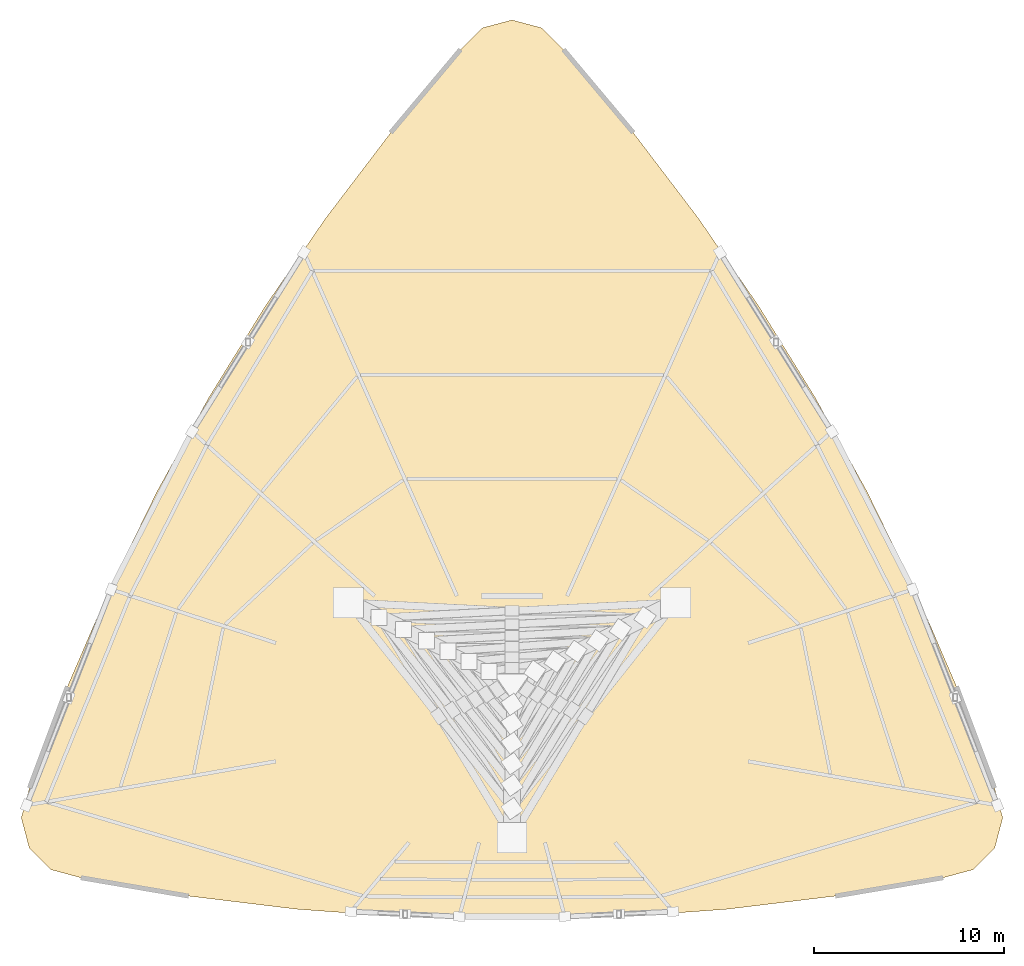
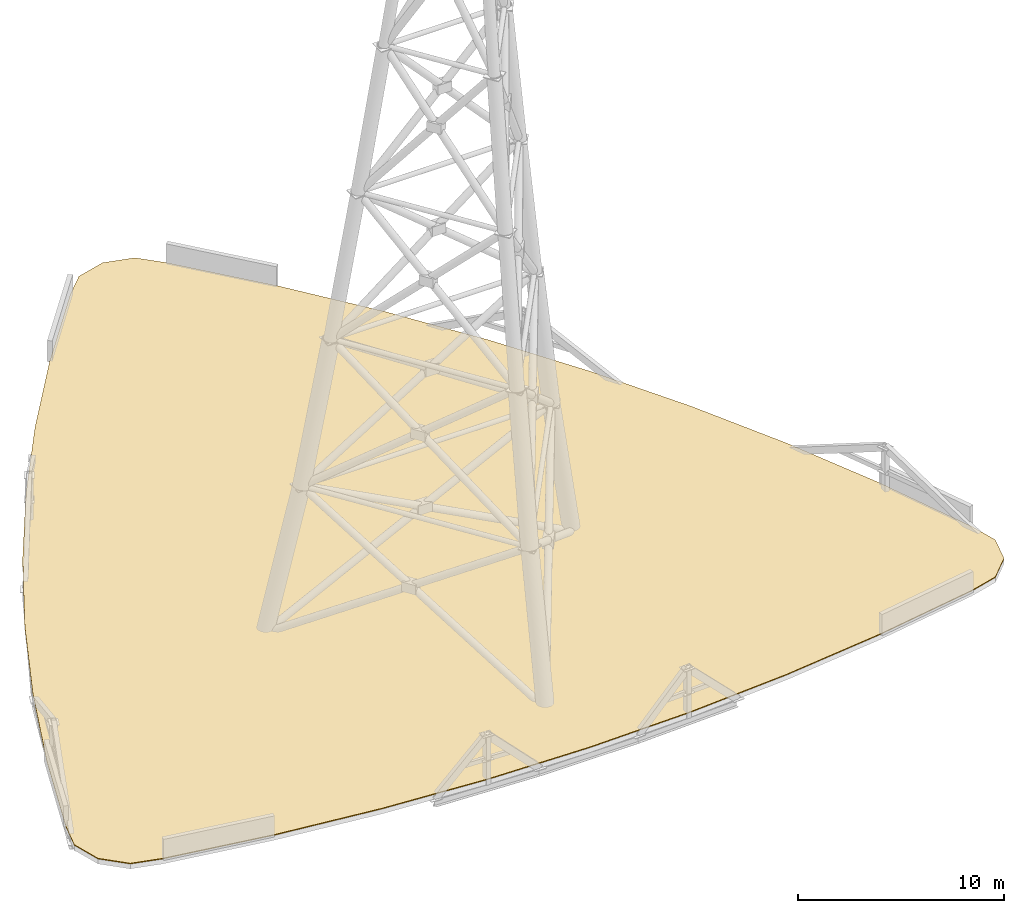
# One storey, part 7 of 7: 1 covering.
"""IFC4 building model written with IfcOpenShell, lengths in metres."""

import ifcopenshell
import ifcopenshell.guid

model = None  # the IFC model being written
_history = None  # IfcOwnerHistory: only IFC2X3 demands one
_inside = {}  # id of a spatial element -> (the spatial element, [elements in it])
_under = {}  # id of a project, library or spatial element -> (it, [spatial elements below it])
_declared = {}  # id of a project -> (the project, [libraries it declares])
_typed = {}  # id of a type object -> (the type object, [elements of that type])
_made_of = {}  # id of a material, layer set ... -> (it, [elements and type objects made of it])


def new_model(schema):
    """Start an empty IFC model of exactly this schema.

    Asked for "IFC4X3", IfcOpenShell would pick the latest addendum, in which some entities
    have other attributes; the version numbers below select the first issue.
    IFC2X3 requires an IfcOwnerHistory on every rooted entity: one is made here for all.
    """
    global model, _history
    if schema == "IFC4X3":
        model = ifcopenshell.file(schema_version=(4, 3, 0, 0))
    else:
        model = ifcopenshell.file(schema=schema)
    _inside.clear()
    _under.clear()
    _declared.clear()
    _typed.clear()
    _made_of.clear()
    _history = None
    if model.schema == "IFC2X3":
        org = make("IfcOrganization", Name="unknown")
        user = make(
            "IfcPersonAndOrganization",
            ThePerson=make("IfcPerson", FamilyName="unknown"),
            TheOrganization=org,
        )
        app = make(
            "IfcApplication",
            ApplicationDeveloper=org,
            Version="unknown",
            ApplicationFullName="unknown",
            ApplicationIdentifier="unknown",
        )
        _history = make(
            "IfcOwnerHistory",
            OwningUser=user,
            OwningApplication=app,
            ChangeAction="ADDED",
            CreationDate=0,
        )
    return model


def make(cls, **values):
    """One entity of the class cls with the attributes given. An attribute that is None is left unset."""
    return model.create_entity(
        cls, **{name: value for name, value in values.items() if value is not None}
    )


def rooted(cls, **values):
    """An entity with a GlobalId (a new one), such as an element, a storey or a relation."""
    return make(cls, GlobalId=ifcopenshell.guid.new(), OwnerHistory=_history, **values)


def si_unit(unit_type, name, prefix=None):
    """IfcSIUnit, for example si_unit("LENGTHUNIT", "METRE", prefix="MILLI")."""
    return make("IfcSIUnit", UnitType=unit_type, Prefix=prefix, Name=name)


def assignment(units):
    """IfcUnitAssignment: the units of a project."""
    return None if units is None else make("IfcUnitAssignment", Units=units)


def point(xyz):
    """IfcCartesianPoint."""
    return None if xyz is None else make("IfcCartesianPoint", Coordinates=xyz)


def direction(xyz):
    """IfcDirection."""
    return None if xyz is None else make("IfcDirection", DirectionRatios=xyz)


def frame(location, z_axis=None, x_axis=None):
    """IfcAxis2Placement3D, a coordinate frame: its origin and axes. An axis left out is left unset."""
    return make(
        "IfcAxis2Placement3D",
        Location=point(location),
        Axis=direction(z_axis),
        RefDirection=direction(x_axis),
    )


def origin():
    """The frame at (0, 0, 0) with its axes left unset."""
    return frame((0.0, 0.0, 0.0))


def place(relative_to, where):
    """IfcLocalPlacement: puts the frame where relative to a parent placement (None: the world)."""
    return make(
        "IfcLocalPlacement", PlacementRelTo=relative_to, RelativePlacement=where
    )


def context(
    kind, dimensions, precision=None, world=None, true_north=None, identifier=None
):
    """IfcGeometricRepresentationContext, for example the 3D "Model" context."""
    return make(
        "IfcGeometricRepresentationContext",
        ContextIdentifier=identifier,
        ContextType=kind,
        CoordinateSpaceDimension=dimensions,
        Precision=precision,
        WorldCoordinateSystem=world,
        TrueNorth=true_north,
    )


def subcontext(parent, identifier, kind, view, scale=None):
    """IfcGeometricRepresentationSubContext, for example "Body" below "Model"."""
    return make(
        "IfcGeometricRepresentationSubContext",
        ContextIdentifier=identifier,
        ContextType=kind,
        ParentContext=parent,
        TargetScale=scale,
        TargetView=view,
    )


def project(units=None, contexts=None):
    """IfcProject with its units and contexts."""
    return rooted(
        "IfcProject",
        Name="project",
        RepresentationContexts=contexts,
        UnitsInContext=assignment(units),
    )


def spatial(cls, under=None, at=None, **own):
    """A site, building, storey or space (cls), placed at a placement, below another one or the project."""
    s = rooted(cls, ObjectPlacement=at, **own)
    if under is not None:
        _under.setdefault(under.id(), (under, []))[1].append(s)
    return s


def polyline(points):
    """IfcPolyline through the points."""
    return make("IfcPolyline", Points=[point(p) for p in points])


def outline(outer, holes=None, kind="AREA"):
    """IfcArbitraryClosedProfileDef: a profile drawn as a closed curve; with holes, ...WithVoids."""
    if holes is None:
        return make("IfcArbitraryClosedProfileDef", ProfileType=kind, OuterCurve=outer)
    return make(
        "IfcArbitraryProfileDefWithVoids",
        ProfileType=kind,
        OuterCurve=outer,
        InnerCurves=holes,
    )


def extrude(swept, where, along, depth):
    """IfcExtrudedAreaSolid: the profile swept, set in the frame where, extruded along a direction by depth."""
    return make(
        "IfcExtrudedAreaSolid",
        SweptArea=swept,
        Position=where,
        ExtrudedDirection=direction(along),
        Depth=depth,
    )


def shape(context_of_items, identifier, shape_type, items):
    """IfcShapeRepresentation: the items that make up one representation, for example the "Body"."""
    return make(
        "IfcShapeRepresentation",
        ContextOfItems=context_of_items,
        RepresentationIdentifier=identifier,
        RepresentationType=shape_type,
        Items=items,
    )


def material(Name=None, Category=None):
    """IfcMaterial."""
    return make("IfcMaterial", Name=Name, Category=Category)


def layer(
    of_material, thickness, ventilated=None, Name=None, Category=None, Priority=None
):
    """IfcMaterialLayer: one layer of a wall or slab, of a material (None: an air gap)."""
    return make(
        "IfcMaterialLayer",
        Material=of_material,
        LayerThickness=thickness,
        IsVentilated=ventilated,
        Name=Name,
        Category=Category,
        Priority=Priority,
    )


def layer_set(layers, Name=None):
    """IfcMaterialLayerSet."""
    return make("IfcMaterialLayerSet", MaterialLayers=layers, LayerSetName=Name)


def made_of(thing, what):
    """Note that an element or type object is made of a material, layer set ...; save() writes the relation."""
    if what is not None:
        _made_of.setdefault(what.id(), (what, []))[1].append(thing)
    return thing


def type_object(cls, material=None, **own):
    """A type object (cls), such as IfcWallType, which elements share."""
    return made_of(rooted(cls, **own), material)


def element(
    cls,
    number,
    at=None,
    inside=None,
    cuts=None,
    type_object=None,
    material=None,
    context=None,
    identifier="Body",
    shape_type=None,
    held_by="IfcProductDefinitionShape",
    body=None,
    shapes=None,
    **own,
):
    """One element of the class cls, such as IfcWall. Its Tag is "e" and its number.

    at: its placement. inside: the storey or other place that contains it. cuts: it is an
    opening in that element (IfcRelVoidsElement). A single representation is given by context,
    identifier, shape_type and body (its items); several are given by shapes. held_by: the class
    of the entity that holds the representations. save() writes the other relations.
    """
    e = rooted(cls, Tag="e%d" % number, ObjectPlacement=at, **own)
    if body is not None:
        shapes = [shape(context, identifier, shape_type, body)]
    if shapes is not None:
        e.Representation = make(held_by, Representations=shapes)
    if inside is not None:
        _inside.setdefault(inside.id(), (inside, []))[1].append(e)
    if cuts is not None:
        rooted(
            "IfcRelVoidsElement", RelatingBuildingElement=cuts, RelatedOpeningElement=e
        )
    if type_object is not None:
        _typed.setdefault(type_object.id(), (type_object, []))[1].append(e)
    return made_of(e, material)


def aggregate(whole, parts):
    """IfcRelAggregates: a whole, such as a stair, and the parts it consists of."""
    return rooted("IfcRelAggregates", RelatingObject=whole, RelatedObjects=parts)


def save(model, path):
    """Write the relations noted so far, then the file.

    IfcRelAggregates (storeys below a building ...), IfcRelContainedInSpatialStructure (elements
    in a storey), IfcRelDefinesByType, IfcRelAssociatesMaterial and IfcRelDeclares: one each for
    every whole, place, type object, material and project.
    """
    for whole, parts in _under.values():
        aggregate(whole, parts)
    for where, things in _inside.values():
        rooted(
            "IfcRelContainedInSpatialStructure",
            RelatedElements=things,
            RelatingStructure=where,
        )
    for kind, things in _typed.values():
        rooted("IfcRelDefinesByType", RelatedObjects=things, RelatingType=kind)
    for what, things in _made_of.values():
        rooted("IfcRelAssociatesMaterial", RelatedObjects=things, RelatingMaterial=what)
    for by, libraries in _declared.values():
        rooted("IfcRelDeclares", RelatingContext=by, RelatedDefinitions=libraries)
    model.write(path)


model = new_model("IFC4")

# Units and contexts
model_context = context("Model", 3, precision=1e-05, world=origin(), true_north=direction((0.0, 1.0)))
body_context = subcontext(model_context, "Body", "Model", "MODEL_VIEW")
ifc_project = project(units=[si_unit("LENGTHUNIT", "METRE"), si_unit("AREAUNIT", "SQUARE_METRE"), si_unit("VOLUMEUNIT", "CUBIC_METRE"), si_unit("PLANEANGLEUNIT", "RADIAN"), si_unit("MASSUNIT", "GRAM", prefix="KILO"), si_unit("THERMODYNAMICTEMPERATUREUNIT", "KELVIN"), si_unit("POWERUNIT", "WATT")], contexts=[model_context])

# Site, building, storey
site_placement = place(None, origin())
site = spatial("IfcSite", under=ifc_project, at=site_placement, CompositionType="ELEMENT")
building_placement = place(site_placement, origin())
building = spatial("IfcBuilding", under=site, at=building_placement, Name="Yunzhuo Pagoda Commons", CompositionType="ELEMENT")
storey_placement = place(building_placement, frame((0.0, 0.0, 401.760009765625)))
storey = spatial("IfcBuildingStorey", under=building, at=storey_placement, Name="Roof", CompositionType="ELEMENT", Elevation=401.760009765625)

# Covering
ifc_material = material(Name="SBS modified bitumen roofing membrane")
ifc_layer = layer(ifc_material, 0.050048828125)
ifc_layer_set = layer_set([ifc_layer], Name="SBS modified bitumen roofing membrane")
covering_type = type_object("IfcCoveringType", Name="COV-RF1 Waterproof SBS Bitumen Roof Membrane", PredefinedType="ROOFING", material=ifc_layer_set)
covering_placement = place(storey_placement, origin())
element("IfcCovering", 1, at=covering_placement, inside=storey, type_object=covering_type, Name="Crown drum waterproof roof membrane", PredefinedType="ROOFING", context=body_context, shape_type="SweptSolid", body=[
    extrude(outline(polyline([(22.64892578125, 30.10888671875), (22.2216796875, 28.541259765625), (22.6376953125, 26.970458984375), (23.78466796875, 25.819580078125), (25.353759765625, 25.39794921875), (31.015380859375, 24.43359375), (36.677001953125, 23.7451171875), (42.33837890625, 23.331787109375), (48.0, 23.194091796875), (53.66162109375, 23.331787109375), (59.322998046875, 23.7451171875), (64.984619140625, 24.43359375), (70.646240234375, 25.39794921875), (72.21533203125, 25.819580078125), (73.3623046875, 26.970458984375), (73.7783203125, 28.541259765625), (73.35107421875, 30.10888671875), (71.35302734375, 35.4443359375), (69.1171875, 40.64111328125), (66.643310546875, 45.69873046875), (63.931396484375, 50.61767578125), (60.981689453125, 55.397705078125), (57.7939453125, 60.038818359375), (54.368408203125, 64.541015625), (50.704833984375, 68.904296875), (49.5595703125, 70.04150390625), (48.0, 70.457275390625), (46.4404296875, 70.04150390625), (45.295166015625, 68.904296875), (41.631591796875, 64.541015625), (38.2060546875, 60.038818359375), (35.018310546875, 55.397705078125), (32.068603515625, 50.61767578125), (29.356689453125, 45.69873046875), (26.8828125, 40.64111328125), (24.64697265625, 35.4443359375), (22.64892578125, 30.10888671875)])), origin(), (0.0, 0.0, 1.0), 0.050048828125),
])

save(model, "model.ifc")
